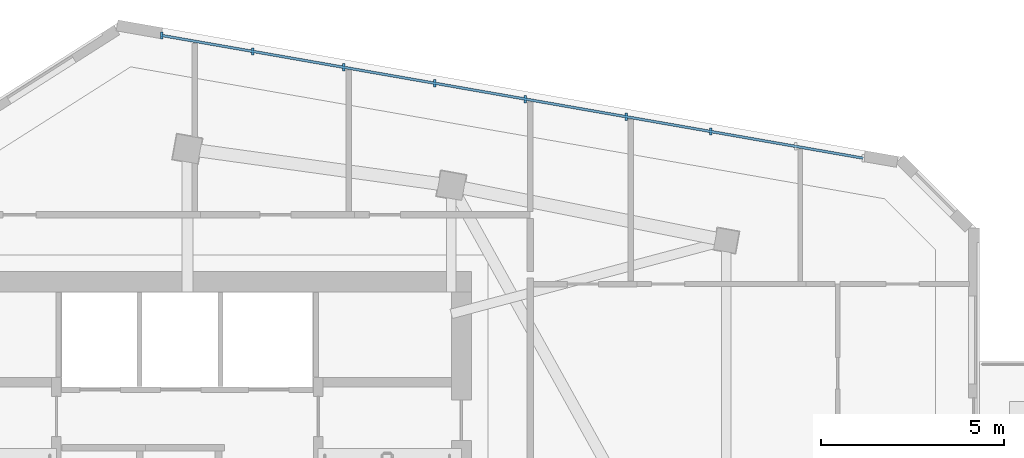
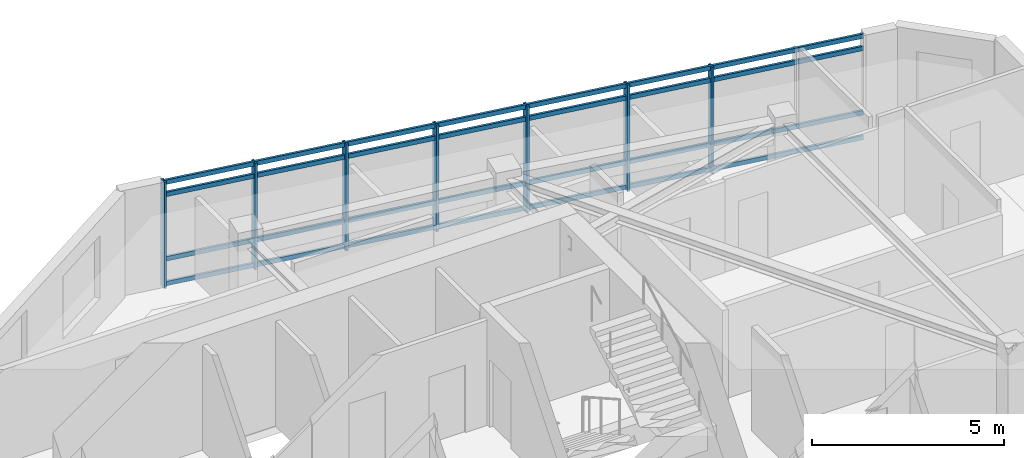
# One storey, part 2 of 10: 11 members, 1 element without a shape of its own.
"""IFC4 building model written with IfcOpenShell, lengths in metres."""

import ifcopenshell
import ifcopenshell.guid

model = None  # the IFC model being written
_history = None  # IfcOwnerHistory: only IFC2X3 demands one
_inside = {}  # id of a spatial element -> (the spatial element, [elements in it])
_under = {}  # id of a project, library or spatial element -> (it, [spatial elements below it])
_declared = {}  # id of a project -> (the project, [libraries it declares])
_typed = {}  # id of a type object -> (the type object, [elements of that type])
_made_of = {}  # id of a material, layer set ... -> (it, [elements and type objects made of it])


def new_model(schema):
    """Start an empty IFC model of exactly this schema.

    Asked for "IFC4X3", IfcOpenShell would pick the latest addendum, in which some entities
    have other attributes; the version numbers below select the first issue.
    IFC2X3 requires an IfcOwnerHistory on every rooted entity: one is made here for all.
    """
    global model, _history
    if schema == "IFC4X3":
        model = ifcopenshell.file(schema_version=(4, 3, 0, 0))
    else:
        model = ifcopenshell.file(schema=schema)
    _inside.clear()
    _under.clear()
    _declared.clear()
    _typed.clear()
    _made_of.clear()
    _history = None
    if model.schema == "IFC2X3":
        org = make("IfcOrganization", Name="unknown")
        user = make(
            "IfcPersonAndOrganization",
            ThePerson=make("IfcPerson", FamilyName="unknown"),
            TheOrganization=org,
        )
        app = make(
            "IfcApplication",
            ApplicationDeveloper=org,
            Version="unknown",
            ApplicationFullName="unknown",
            ApplicationIdentifier="unknown",
        )
        _history = make(
            "IfcOwnerHistory",
            OwningUser=user,
            OwningApplication=app,
            ChangeAction="ADDED",
            CreationDate=0,
        )
    return model


def make(cls, **values):
    """One entity of the class cls with the attributes given. An attribute that is None is left unset."""
    return model.create_entity(
        cls, **{name: value for name, value in values.items() if value is not None}
    )


def rooted(cls, **values):
    """An entity with a GlobalId (a new one), such as an element, a storey or a relation."""
    return make(cls, GlobalId=ifcopenshell.guid.new(), OwnerHistory=_history, **values)


def si_unit(unit_type, name, prefix=None):
    """IfcSIUnit, for example si_unit("LENGTHUNIT", "METRE", prefix="MILLI")."""
    return make("IfcSIUnit", UnitType=unit_type, Prefix=prefix, Name=name)


def assignment(units):
    """IfcUnitAssignment: the units of a project."""
    return None if units is None else make("IfcUnitAssignment", Units=units)


def point(xyz):
    """IfcCartesianPoint."""
    return None if xyz is None else make("IfcCartesianPoint", Coordinates=xyz)


def direction(xyz):
    """IfcDirection."""
    return None if xyz is None else make("IfcDirection", DirectionRatios=xyz)


def frame(location, z_axis=None, x_axis=None):
    """IfcAxis2Placement3D, a coordinate frame: its origin and axes. An axis left out is left unset."""
    return make(
        "IfcAxis2Placement3D",
        Location=point(location),
        Axis=direction(z_axis),
        RefDirection=direction(x_axis),
    )


def frame_2d(location, x_axis=None):
    """IfcAxis2Placement2D, a coordinate frame in the plane: its origin and x axis."""
    return make(
        "IfcAxis2Placement2D", Location=point(location), RefDirection=direction(x_axis)
    )


def origin():
    """The frame at (0, 0, 0) with its axes left unset."""
    return frame((0.0, 0.0, 0.0))


def origin_2d():
    """The frame at (0, 0) in the plane with its x axis left unset."""
    return frame_2d((0.0, 0.0))


def place(relative_to, where):
    """IfcLocalPlacement: puts the frame where relative to a parent placement (None: the world)."""
    return make(
        "IfcLocalPlacement", PlacementRelTo=relative_to, RelativePlacement=where
    )


def context(
    kind, dimensions, precision=None, world=None, true_north=None, identifier=None
):
    """IfcGeometricRepresentationContext, for example the 3D "Model" context."""
    return make(
        "IfcGeometricRepresentationContext",
        ContextIdentifier=identifier,
        ContextType=kind,
        CoordinateSpaceDimension=dimensions,
        Precision=precision,
        WorldCoordinateSystem=world,
        TrueNorth=true_north,
    )


def subcontext(parent, identifier, kind, view, scale=None):
    """IfcGeometricRepresentationSubContext, for example "Body" below "Model"."""
    return make(
        "IfcGeometricRepresentationSubContext",
        ContextIdentifier=identifier,
        ContextType=kind,
        ParentContext=parent,
        TargetScale=scale,
        TargetView=view,
    )


def project(units=None, contexts=None):
    """IfcProject with its units and contexts."""
    return rooted(
        "IfcProject",
        Name="project",
        RepresentationContexts=contexts,
        UnitsInContext=assignment(units),
    )


def spatial(cls, under=None, at=None, **own):
    """A site, building, storey or space (cls), placed at a placement, below another one or the project."""
    s = rooted(cls, ObjectPlacement=at, **own)
    if under is not None:
        _under.setdefault(under.id(), (under, []))[1].append(s)
    return s


def profile(cls, at=None, kind="AREA", **sizes):
    """A parametric profile (cls). Its sizes go by their IFC names, for example OverallWidth=200.0."""
    return make(cls, ProfileType=kind, Position=at, **sizes)


def rectangle(**sizes):
    """IfcRectangleProfileDef."""
    return profile("IfcRectangleProfileDef", **sizes)


def extrude(swept, where, along, depth):
    """IfcExtrudedAreaSolid: the profile swept, set in the frame where, extruded along a direction by depth."""
    return make(
        "IfcExtrudedAreaSolid",
        SweptArea=swept,
        Position=where,
        ExtrudedDirection=direction(along),
        Depth=depth,
    )


def shape(context_of_items, identifier, shape_type, items):
    """IfcShapeRepresentation: the items that make up one representation, for example the "Body"."""
    return make(
        "IfcShapeRepresentation",
        ContextOfItems=context_of_items,
        RepresentationIdentifier=identifier,
        RepresentationType=shape_type,
        Items=items,
    )


def source(mapping_origin, context_of_items, identifier, shape_type, items):
    """IfcRepresentationMap: a shape defined once, which mapped items show again and again."""
    return make(
        "IfcRepresentationMap",
        MappingOrigin=mapping_origin,
        MappedRepresentation=shape(context_of_items, identifier, shape_type, items),
    )


def transform(
    local_origin,
    x_axis=None,
    y_axis=None,
    z_axis=None,
    scale=None,
    scale2=None,
    scale3=None,
    uniform=True,
):
    """IfcCartesianTransformationOperator3D, or its non-uniform kind. x_axis, y_axis, z_axis: its Axis1, 2, 3."""
    if uniform:
        return make(
            "IfcCartesianTransformationOperator3D",
            Axis1=direction(x_axis),
            Axis2=direction(y_axis),
            LocalOrigin=point(local_origin),
            Scale=scale,
            Axis3=direction(z_axis),
        )
    return make(
        "IfcCartesianTransformationOperator3DnonUniform",
        Axis1=direction(x_axis),
        Axis2=direction(y_axis),
        LocalOrigin=point(local_origin),
        Scale=scale,
        Axis3=direction(z_axis),
        Scale2=scale2,
        Scale3=scale3,
    )


def mapped(mapping_source, mapping_target):
    """IfcMappedItem: shows the shape of a source again, moved by a transform."""
    return make(
        "IfcMappedItem", MappingSource=mapping_source, MappingTarget=mapping_target
    )


def material(Name=None, Category=None):
    """IfcMaterial."""
    return make("IfcMaterial", Name=Name, Category=Category)


def material_profile(
    of_material, cross_section, Name=None, Category=None, Priority=None
):
    """IfcMaterialProfile: a cross section and its material."""
    return make(
        "IfcMaterialProfile",
        Name=Name,
        Material=of_material,
        Profile=cross_section,
        Priority=Priority,
        Category=Category,
    )


def profile_set(profiles, Name=None, composite=None):
    """IfcMaterialProfileSet."""
    return make(
        "IfcMaterialProfileSet",
        Name=Name,
        MaterialProfiles=profiles,
        CompositeProfile=composite,
    )


def made_of(thing, what):
    """Note that an element or type object is made of a material, layer set ...; save() writes the relation."""
    if what is not None:
        _made_of.setdefault(what.id(), (what, []))[1].append(thing)
    return thing


def type_object(cls, material=None, **own):
    """A type object (cls), such as IfcWallType, which elements share."""
    return made_of(rooted(cls, **own), material)


def element(
    cls,
    number,
    at=None,
    inside=None,
    cuts=None,
    type_object=None,
    material=None,
    context=None,
    identifier="Body",
    shape_type=None,
    held_by="IfcProductDefinitionShape",
    body=None,
    shapes=None,
    **own,
):
    """One element of the class cls, such as IfcWall. Its Tag is "e" and its number.

    at: its placement. inside: the storey or other place that contains it. cuts: it is an
    opening in that element (IfcRelVoidsElement). A single representation is given by context,
    identifier, shape_type and body (its items); several are given by shapes. held_by: the class
    of the entity that holds the representations. save() writes the other relations.
    """
    e = rooted(cls, Tag="e%d" % number, ObjectPlacement=at, **own)
    if body is not None:
        shapes = [shape(context, identifier, shape_type, body)]
    if shapes is not None:
        e.Representation = make(held_by, Representations=shapes)
    if inside is not None:
        _inside.setdefault(inside.id(), (inside, []))[1].append(e)
    if cuts is not None:
        rooted(
            "IfcRelVoidsElement", RelatingBuildingElement=cuts, RelatedOpeningElement=e
        )
    if type_object is not None:
        _typed.setdefault(type_object.id(), (type_object, []))[1].append(e)
    return made_of(e, material)


def aggregate(whole, parts):
    """IfcRelAggregates: a whole, such as a stair, and the parts it consists of."""
    return rooted("IfcRelAggregates", RelatingObject=whole, RelatedObjects=parts)


def save(model, path):
    """Write the relations noted so far, then the file.

    IfcRelAggregates (storeys below a building ...), IfcRelContainedInSpatialStructure (elements
    in a storey), IfcRelDefinesByType, IfcRelAssociatesMaterial and IfcRelDeclares: one each for
    every whole, place, type object, material and project.
    """
    for whole, parts in _under.values():
        aggregate(whole, parts)
    for where, things in _inside.values():
        rooted(
            "IfcRelContainedInSpatialStructure",
            RelatedElements=things,
            RelatingStructure=where,
        )
    for kind, things in _typed.values():
        rooted("IfcRelDefinesByType", RelatedObjects=things, RelatingType=kind)
    for what, things in _made_of.values():
        rooted("IfcRelAssociatesMaterial", RelatedObjects=things, RelatingMaterial=what)
    for by, libraries in _declared.values():
        rooted("IfcRelDeclares", RelatingContext=by, RelatedDefinitions=libraries)
    model.write(path)


model = new_model("IFC4")

# Units and contexts
model_context = context("Model", 3, precision=1e-05, world=origin(), true_north=direction((0.0, 1.0)))
body_context = subcontext(model_context, "Body", "Model", "MODEL_VIEW")
ifc_project = project(units=[si_unit("LENGTHUNIT", "METRE"), si_unit("AREAUNIT", "SQUARE_METRE"), si_unit("VOLUMEUNIT", "CUBIC_METRE"), si_unit("PLANEANGLEUNIT", "RADIAN"), si_unit("MASSUNIT", "GRAM", prefix="KILO")], contexts=[model_context])

# Site, building, storey
site_placement = place(None, origin())
site = spatial("IfcSite", under=ifc_project, at=site_placement, CompositionType="ELEMENT")
building_placement = place(site_placement, origin())
building = spatial("IfcBuilding", under=site, at=building_placement, Name="Calvemar Wedge Station Tower", CompositionType="ELEMENT")
storey_placement = place(building_placement, frame((0.0, 0.0, 267.300048828125)))
storey = spatial("IfcBuildingStorey", under=building, at=storey_placement, Name="L68", CompositionType="ELEMENT", Elevation=267.300048828125)

# Curtain wall, members
ifc_material = material(Name="Anodised aluminium 6063-T6", Category="aluminium")
curtain_wall_type = type_object("IfcCurtainWallType", Name="CW4", PredefinedType="NOTDEFINED", material=ifc_material)
curtain_wall_placement = place(storey_placement, origin())
curtain_wall = element("IfcCurtainWall", 1, at=curtain_wall_placement, inside=storey, type_object=curtain_wall_type, Name="Storey L68 CW4 Recessed Unitised Curtain Wall 10", PredefinedType="NOTDEFINED")
ifc_material_profile_1 = material_profile(ifc_material, rectangle(XDim=0.070068359375, YDim=0.199951171875, at=origin_2d()), Name="AL-MUL-70x200")
ifc_profile_set_1 = profile_set([ifc_material_profile_1], Name="Anodised aluminium 6063-T6")
member_type_1 = type_object("IfcMemberType", Name="CW4-MUL", PredefinedType="MULLION", material=ifc_profile_set_1)
shared_shape_1 = source(origin(), body_context, "Body", "SweptSolid", [
    extrude(rectangle(XDim=0.070068359375, YDim=0.199951171875, at=origin_2d()), origin(), (0.0, 0.0, 1.0), 3.39990234375),
])
member_1_placement = place(storey_placement, frame((38.080078125, 49.9736328125, -0.050048828125), z_axis=(0.0, 0.0, 1.0), x_axis=(1.0, 0.0, 0.0)))
member_1 = element("IfcMember", 2, at=member_1_placement, type_object=member_type_1, Name="CW4 mullion 3", PredefinedType="MULLION", context=body_context, shape_type="MappedRepresentation", body=[
    mapped(shared_shape_1, transform((0.0, 0.0, 0.0), scale=1.0)),
])
member_2_placement = place(storey_placement, frame((35.771484375, 50.37744140625, -0.050048828125), z_axis=(0.0, 0.0, 1.0), x_axis=(1.0, 0.0, 0.0)))
member_2 = element("IfcMember", 3, at=member_2_placement, type_object=member_type_1, Name="CW4 mullion 4", PredefinedType="MULLION", context=body_context, shape_type="MappedRepresentation", body=[
    mapped(shared_shape_1, transform((0.0, 0.0, 0.0), scale=1.0)),
])
member_3_placement = place(storey_placement, frame((33.021484375, 50.8583984375, -0.050048828125), z_axis=(0.0, 0.0, 1.0), x_axis=(1.0, 0.0, 0.0)))
member_3 = element("IfcMember", 4, at=member_3_placement, type_object=member_type_1, Name="CW4 mullion 5", PredefinedType="MULLION", context=body_context, shape_type="MappedRepresentation", body=[
    mapped(shared_shape_1, transform((0.0, 0.0, 0.0), scale=1.0)),
])
member_4_placement = place(storey_placement, frame((30.546630859375, 51.29150390625, -0.050048828125), z_axis=(0.0, 0.0, 1.0), x_axis=(1.0, 0.0, 0.0)))
member_4 = element("IfcMember", 5, at=member_4_placement, type_object=member_type_1, Name="CW4 mullion 6", PredefinedType="MULLION", context=body_context, shape_type="MappedRepresentation", body=[
    mapped(shared_shape_1, transform((0.0, 0.0, 0.0), scale=1.0)),
])
member_5_placement = place(storey_placement, frame((28.071533203125, 51.724609375, -0.050048828125), z_axis=(0.0, 0.0, 1.0), x_axis=(1.0, 0.0, 0.0)))
member_5 = element("IfcMember", 6, at=member_5_placement, type_object=member_type_1, Name="CW4 mullion 7", PredefinedType="MULLION", context=body_context, shape_type="MappedRepresentation", body=[
    mapped(shared_shape_1, transform((0.0, 0.0, 0.0), scale=1.0)),
])
member_6_placement = place(storey_placement, frame((25.588134765625, 52.158935546875, -0.050048828125), z_axis=(0.0, 0.0, 1.0), x_axis=(1.0, 0.0, 0.0)))
member_6 = element("IfcMember", 7, at=member_6_placement, type_object=member_type_1, Name="CW4 mullion 8", PredefinedType="MULLION", context=body_context, shape_type="MappedRepresentation", body=[
    mapped(shared_shape_1, transform((0.0, 0.0, 0.0), scale=1.0)),
])
member_7_placement = place(storey_placement, frame((23.104736328125, 52.593505859375, -0.050048828125), z_axis=(0.0, 0.0, 1.0), x_axis=(1.0, 0.0, 0.0)))
member_7 = element("IfcMember", 8, at=member_7_placement, type_object=member_type_1, Name="CW4 mullion 9", PredefinedType="MULLION", context=body_context, shape_type="MappedRepresentation", body=[
    mapped(shared_shape_1, transform((0.0, 0.0, 0.0), scale=1.0)),
])
ifc_material_profile_2 = material_profile(ifc_material, rectangle(XDim=0.070068359375, YDim=0.139892578125, at=origin_2d()), Name="AL-TRN-70x140")
ifc_profile_set_2 = profile_set([ifc_material_profile_2], Name="Anodised aluminium 6063-T6")
member_type_2 = type_object("IfcMemberType", Name="CW4-TRN", PredefinedType="USERDEFINED", material=ifc_profile_set_2)
shared_shape_2 = source(origin(), body_context, "Body", "SweptSolid", [
    extrude(rectangle(XDim=0.070068359375, YDim=0.139892578125, at=origin_2d()), origin(), (0.0, 0.0, 1.0), 19.41943359375),
])
member_8_placement = place(storey_placement, frame((42.233642578125, 49.246826171875, 0.06005859375), z_axis=(-0.985038151159, 0.172336417399, 0.0), x_axis=(-0.172336417399, -0.985038151159, 0.0)))
member_8 = element("IfcMember", 9, at=member_8_placement, type_object=member_type_2, Name="CW4 transom 1", ObjectType="TRANSOM", PredefinedType="USERDEFINED", context=body_context, shape_type="MappedRepresentation", body=[
    mapped(shared_shape_2, transform((0.0, 0.0, 0.0), scale=1.0)),
])
member_9_placement = place(storey_placement, frame((42.233642578125, 49.246826171875, 0.849853515625), z_axis=(-0.985038151159, 0.172336417399, 0.0), x_axis=(-0.172336417399, -0.985038151159, 0.0)))
member_9 = element("IfcMember", 10, at=member_9_placement, type_object=member_type_2, Name="CW4 transom 2", ObjectType="TRANSOM", PredefinedType="USERDEFINED", context=body_context, shape_type="MappedRepresentation", body=[
    mapped(shared_shape_2, transform((0.0, 0.0, 0.0), scale=1.0)),
])
member_10_placement = place(storey_placement, frame((42.233642578125, 49.246826171875, 2.89990234375), z_axis=(-0.985038151159, 0.172336417399, 0.0), x_axis=(-0.172336417399, -0.985038151159, 0.0)))
member_10 = element("IfcMember", 11, at=member_10_placement, type_object=member_type_2, Name="CW4 transom 3", ObjectType="TRANSOM", PredefinedType="USERDEFINED", context=body_context, shape_type="MappedRepresentation", body=[
    mapped(shared_shape_2, transform((0.0, 0.0, 0.0), scale=1.0)),
])
member_11_placement = place(storey_placement, frame((42.233642578125, 49.246826171875, 3.2900390625), z_axis=(-0.985038151159, 0.172336417399, 0.0), x_axis=(-0.172336417399, -0.985038151159, 0.0)))
member_11 = element("IfcMember", 12, at=member_11_placement, type_object=member_type_2, Name="CW4 transom 4", ObjectType="TRANSOM", PredefinedType="USERDEFINED", context=body_context, shape_type="MappedRepresentation", body=[
    mapped(shared_shape_2, transform((0.0, 0.0, 0.0), scale=1.0)),
])
aggregate(curtain_wall, [member_1, member_2, member_3, member_4, member_5, member_6, member_7, member_8, member_9, member_10, member_11])

save(model, "model.ifc")
